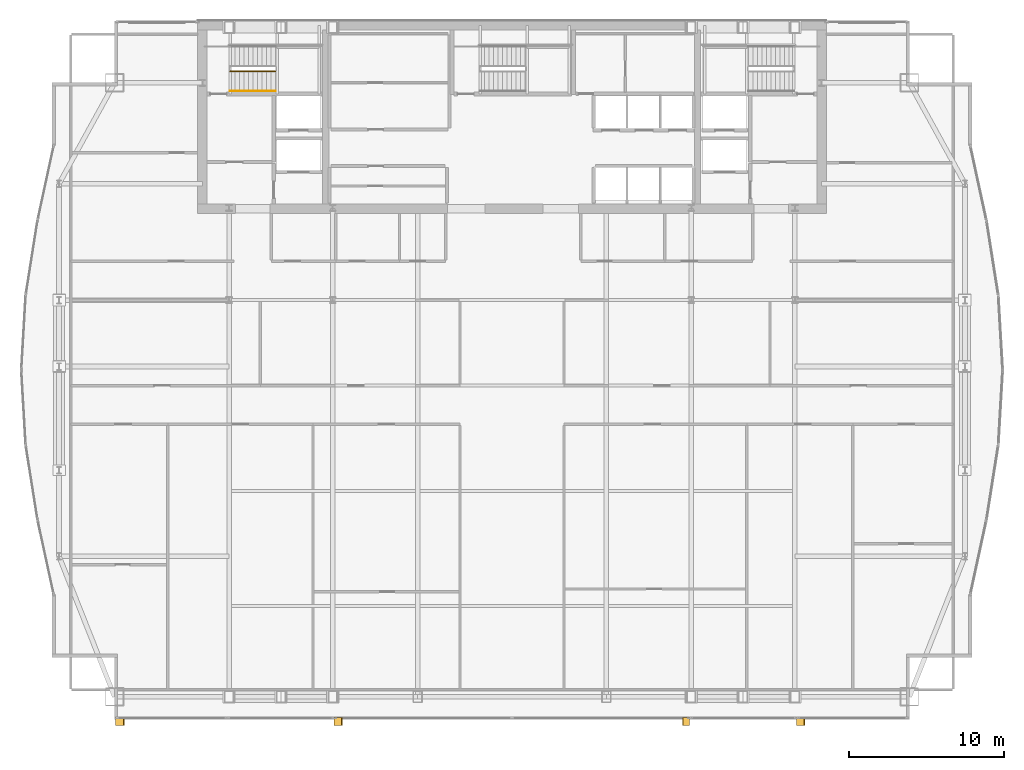
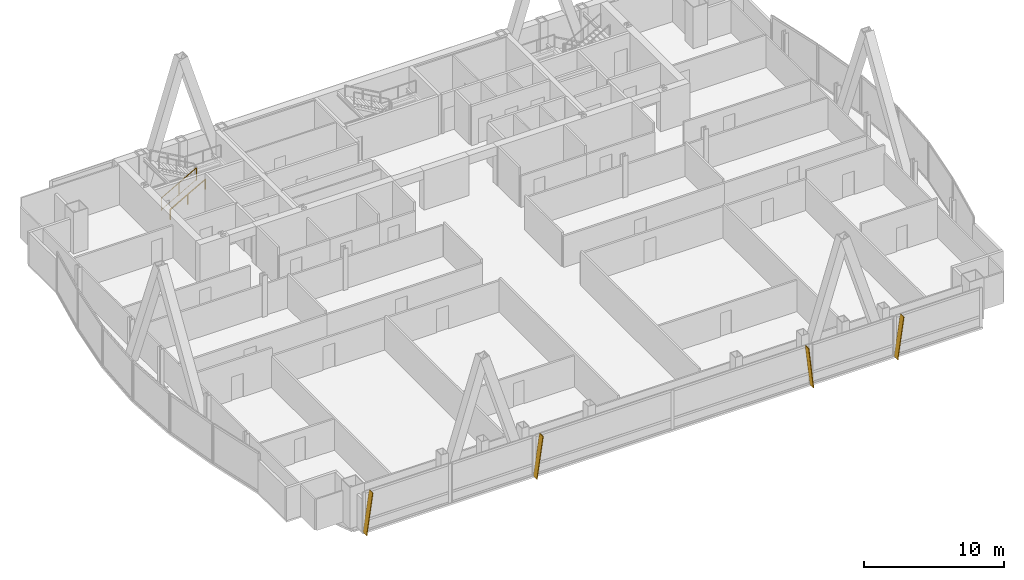
# One storey, part 32 of 33: 4 shading devices, 2 railings.
"""IFC4 building model written with IfcOpenShell, lengths in metres."""

import ifcopenshell
import ifcopenshell.guid

model = None  # the IFC model being written
_history = None  # IfcOwnerHistory: only IFC2X3 demands one
_inside = {}  # id of a spatial element -> (the spatial element, [elements in it])
_under = {}  # id of a project, library or spatial element -> (it, [spatial elements below it])
_declared = {}  # id of a project -> (the project, [libraries it declares])
_typed = {}  # id of a type object -> (the type object, [elements of that type])
_made_of = {}  # id of a material, layer set ... -> (it, [elements and type objects made of it])


def new_model(schema):
    """Start an empty IFC model of exactly this schema.

    Asked for "IFC4X3", IfcOpenShell would pick the latest addendum, in which some entities
    have other attributes; the version numbers below select the first issue.
    IFC2X3 requires an IfcOwnerHistory on every rooted entity: one is made here for all.
    """
    global model, _history
    if schema == "IFC4X3":
        model = ifcopenshell.file(schema_version=(4, 3, 0, 0))
    else:
        model = ifcopenshell.file(schema=schema)
    _inside.clear()
    _under.clear()
    _declared.clear()
    _typed.clear()
    _made_of.clear()
    _history = None
    if model.schema == "IFC2X3":
        org = make("IfcOrganization", Name="unknown")
        user = make(
            "IfcPersonAndOrganization",
            ThePerson=make("IfcPerson", FamilyName="unknown"),
            TheOrganization=org,
        )
        app = make(
            "IfcApplication",
            ApplicationDeveloper=org,
            Version="unknown",
            ApplicationFullName="unknown",
            ApplicationIdentifier="unknown",
        )
        _history = make(
            "IfcOwnerHistory",
            OwningUser=user,
            OwningApplication=app,
            ChangeAction="ADDED",
            CreationDate=0,
        )
    return model


def make(cls, **values):
    """One entity of the class cls with the attributes given. An attribute that is None is left unset."""
    return model.create_entity(
        cls, **{name: value for name, value in values.items() if value is not None}
    )


def rooted(cls, **values):
    """An entity with a GlobalId (a new one), such as an element, a storey or a relation."""
    return make(cls, GlobalId=ifcopenshell.guid.new(), OwnerHistory=_history, **values)


def si_unit(unit_type, name, prefix=None):
    """IfcSIUnit, for example si_unit("LENGTHUNIT", "METRE", prefix="MILLI")."""
    return make("IfcSIUnit", UnitType=unit_type, Prefix=prefix, Name=name)


def assignment(units):
    """IfcUnitAssignment: the units of a project."""
    return None if units is None else make("IfcUnitAssignment", Units=units)


def point(xyz):
    """IfcCartesianPoint."""
    return None if xyz is None else make("IfcCartesianPoint", Coordinates=xyz)


def direction(xyz):
    """IfcDirection."""
    return None if xyz is None else make("IfcDirection", DirectionRatios=xyz)


def frame(location, z_axis=None, x_axis=None):
    """IfcAxis2Placement3D, a coordinate frame: its origin and axes. An axis left out is left unset."""
    return make(
        "IfcAxis2Placement3D",
        Location=point(location),
        Axis=direction(z_axis),
        RefDirection=direction(x_axis),
    )


def frame_2d(location, x_axis=None):
    """IfcAxis2Placement2D, a coordinate frame in the plane: its origin and x axis."""
    return make(
        "IfcAxis2Placement2D", Location=point(location), RefDirection=direction(x_axis)
    )


def origin():
    """The frame at (0, 0, 0) with its axes left unset."""
    return frame((0.0, 0.0, 0.0))


def origin_2d():
    """The frame at (0, 0) in the plane with its x axis left unset."""
    return frame_2d((0.0, 0.0))


def place(relative_to, where):
    """IfcLocalPlacement: puts the frame where relative to a parent placement (None: the world)."""
    return make(
        "IfcLocalPlacement", PlacementRelTo=relative_to, RelativePlacement=where
    )


def context(
    kind, dimensions, precision=None, world=None, true_north=None, identifier=None
):
    """IfcGeometricRepresentationContext, for example the 3D "Model" context."""
    return make(
        "IfcGeometricRepresentationContext",
        ContextIdentifier=identifier,
        ContextType=kind,
        CoordinateSpaceDimension=dimensions,
        Precision=precision,
        WorldCoordinateSystem=world,
        TrueNorth=true_north,
    )


def subcontext(parent, identifier, kind, view, scale=None):
    """IfcGeometricRepresentationSubContext, for example "Body" below "Model"."""
    return make(
        "IfcGeometricRepresentationSubContext",
        ContextIdentifier=identifier,
        ContextType=kind,
        ParentContext=parent,
        TargetScale=scale,
        TargetView=view,
    )


def project(units=None, contexts=None):
    """IfcProject with its units and contexts."""
    return rooted(
        "IfcProject",
        Name="project",
        RepresentationContexts=contexts,
        UnitsInContext=assignment(units),
    )


def spatial(cls, under=None, at=None, **own):
    """A site, building, storey or space (cls), placed at a placement, below another one or the project."""
    s = rooted(cls, ObjectPlacement=at, **own)
    if under is not None:
        _under.setdefault(under.id(), (under, []))[1].append(s)
    return s


def polyline(points):
    """IfcPolyline through the points."""
    return make("IfcPolyline", Points=[point(p) for p in points])


def profile(cls, at=None, kind="AREA", **sizes):
    """A parametric profile (cls). Its sizes go by their IFC names, for example OverallWidth=200.0."""
    return make(cls, ProfileType=kind, Position=at, **sizes)


def rectangle(**sizes):
    """IfcRectangleProfileDef."""
    return profile("IfcRectangleProfileDef", **sizes)


def outline(outer, holes=None, kind="AREA"):
    """IfcArbitraryClosedProfileDef: a profile drawn as a closed curve; with holes, ...WithVoids."""
    if holes is None:
        return make("IfcArbitraryClosedProfileDef", ProfileType=kind, OuterCurve=outer)
    return make(
        "IfcArbitraryProfileDefWithVoids",
        ProfileType=kind,
        OuterCurve=outer,
        InnerCurves=holes,
    )


def extrude(swept, where, along, depth):
    """IfcExtrudedAreaSolid: the profile swept, set in the frame where, extruded along a direction by depth."""
    return make(
        "IfcExtrudedAreaSolid",
        SweptArea=swept,
        Position=where,
        ExtrudedDirection=direction(along),
        Depth=depth,
    )


def shape(context_of_items, identifier, shape_type, items):
    """IfcShapeRepresentation: the items that make up one representation, for example the "Body"."""
    return make(
        "IfcShapeRepresentation",
        ContextOfItems=context_of_items,
        RepresentationIdentifier=identifier,
        RepresentationType=shape_type,
        Items=items,
    )


def material(Name=None, Category=None):
    """IfcMaterial."""
    return make("IfcMaterial", Name=Name, Category=Category)


def layer(
    of_material, thickness, ventilated=None, Name=None, Category=None, Priority=None
):
    """IfcMaterialLayer: one layer of a wall or slab, of a material (None: an air gap)."""
    return make(
        "IfcMaterialLayer",
        Material=of_material,
        LayerThickness=thickness,
        IsVentilated=ventilated,
        Name=Name,
        Category=Category,
        Priority=Priority,
    )


def layer_set(layers, Name=None):
    """IfcMaterialLayerSet."""
    return make("IfcMaterialLayerSet", MaterialLayers=layers, LayerSetName=Name)


def made_of(thing, what):
    """Note that an element or type object is made of a material, layer set ...; save() writes the relation."""
    if what is not None:
        _made_of.setdefault(what.id(), (what, []))[1].append(thing)
    return thing


def type_object(cls, material=None, **own):
    """A type object (cls), such as IfcWallType, which elements share."""
    return made_of(rooted(cls, **own), material)


def element(
    cls,
    number,
    at=None,
    inside=None,
    cuts=None,
    type_object=None,
    material=None,
    context=None,
    identifier="Body",
    shape_type=None,
    held_by="IfcProductDefinitionShape",
    body=None,
    shapes=None,
    **own,
):
    """One element of the class cls, such as IfcWall. Its Tag is "e" and its number.

    at: its placement. inside: the storey or other place that contains it. cuts: it is an
    opening in that element (IfcRelVoidsElement). A single representation is given by context,
    identifier, shape_type and body (its items); several are given by shapes. held_by: the class
    of the entity that holds the representations. save() writes the other relations.
    """
    e = rooted(cls, Tag="e%d" % number, ObjectPlacement=at, **own)
    if body is not None:
        shapes = [shape(context, identifier, shape_type, body)]
    if shapes is not None:
        e.Representation = make(held_by, Representations=shapes)
    if inside is not None:
        _inside.setdefault(inside.id(), (inside, []))[1].append(e)
    if cuts is not None:
        rooted(
            "IfcRelVoidsElement", RelatingBuildingElement=cuts, RelatedOpeningElement=e
        )
    if type_object is not None:
        _typed.setdefault(type_object.id(), (type_object, []))[1].append(e)
    return made_of(e, material)


def aggregate(whole, parts):
    """IfcRelAggregates: a whole, such as a stair, and the parts it consists of."""
    return rooted("IfcRelAggregates", RelatingObject=whole, RelatedObjects=parts)


def save(model, path):
    """Write the relations noted so far, then the file.

    IfcRelAggregates (storeys below a building ...), IfcRelContainedInSpatialStructure (elements
    in a storey), IfcRelDefinesByType, IfcRelAssociatesMaterial and IfcRelDeclares: one each for
    every whole, place, type object, material and project.
    """
    for whole, parts in _under.values():
        aggregate(whole, parts)
    for where, things in _inside.values():
        rooted(
            "IfcRelContainedInSpatialStructure",
            RelatedElements=things,
            RelatingStructure=where,
        )
    for kind, things in _typed.values():
        rooted("IfcRelDefinesByType", RelatedObjects=things, RelatingType=kind)
    for what, things in _made_of.values():
        rooted("IfcRelAssociatesMaterial", RelatedObjects=things, RelatingMaterial=what)
    for by, libraries in _declared.values():
        rooted("IfcRelDeclares", RelatingContext=by, RelatedDefinitions=libraries)
    model.write(path)


model = new_model("IFC4")

# Units and contexts
model_context = context("Model", 3, precision=1e-05, world=origin(), true_north=direction((0.0, 1.0)))
body_context = subcontext(model_context, "Body", "Model", "MODEL_VIEW")
ifc_project = project(units=[si_unit("LENGTHUNIT", "METRE"), si_unit("AREAUNIT", "SQUARE_METRE"), si_unit("VOLUMEUNIT", "CUBIC_METRE"), si_unit("PLANEANGLEUNIT", "RADIAN"), si_unit("MASSUNIT", "GRAM", prefix="KILO")], contexts=[model_context])

# Site, building, storey
site_placement = place(None, origin())
site = spatial("IfcSite", under=ifc_project, at=site_placement, CompositionType="ELEMENT")
building_placement = place(site_placement, origin())
building = spatial("IfcBuilding", under=site, at=building_placement, Name="Khoronbel Lancet Exchange", CompositionType="ELEMENT")
storey_placement = place(building_placement, frame((0.0, 0.0, 210.199951171875)))
storey = spatial("IfcBuildingStorey", under=building, at=storey_placement, Name="L53", CompositionType="ELEMENT", Elevation=210.199951171875)

# Railings
ifc_material_1 = material(Name="Painted Steel Balustrade", Category="steel")
railing_type_1 = type_object("IfcRailingType", Name="RL-STG110", PredefinedType="GUARDRAIL", material=ifc_material_1)
railing_1_placement = place(storey_placement, frame((18.300048828125, 50.449951171875, 0.16357421875)))
element("IfcRailing", 1, at=railing_1_placement, inside=storey, type_object=railing_type_1, Name="L53 ST1 stair guard 1", PredefinedType="GUARDRAIL", context=body_context, shape_type="SweptSolid", body=[
    extrude(rectangle(XDim=0.048095703125, YDim=0.048095703125, at=origin_2d()), frame((0.0, 0.0, 1.09619140625), z_axis=(0.870897200241, 0.0, 0.491465224214), x_axis=(0.0, 1.0, 0.0)), (0.0, 0.0, 1.0), 3.329833984375),
    extrude(rectangle(XDim=0.02392578125, YDim=0.02392578125, at=origin_2d()), frame((0.0, 0.0, 0.080078125), z_axis=(0.870897200241, 0.0, 0.491465224214), x_axis=(0.0, 1.0, 0.0)), (0.0, 0.0, 1.0), 3.329833984375),
    extrude(rectangle(XDim=0.0419921875, YDim=0.0419921875, at=origin_2d()), origin(), (0.0, 0.0, 1.0), 1.072021484375),
    extrude(rectangle(XDim=0.0419921875, YDim=0.0419921875, at=origin_2d()), frame((1.449951171875, 0.0, 0.818359375)), (0.0, 0.0, 1.0), 1.072021484375),
    extrude(rectangle(XDim=0.0419921875, YDim=0.0419921875, at=origin_2d()), frame((2.89990234375, 0.0, 1.636474609375)), (0.0, 0.0, 1.0), 1.072021484375),
])
ifc_material_2 = material(Name="Brushed Stainless Steel 316", Category="steel")
railing_type_2 = type_object("IfcRailingType", Name="RL-STH92", PredefinedType="HANDRAIL", material=ifc_material_2)
railing_2_placement = place(storey_placement, frame((18.300048828125, 49.169921875, 0.16357421875)))
element("IfcRailing", 2, at=railing_2_placement, inside=storey, type_object=railing_type_2, Name="L53 ST1 stair handrail 1", PredefinedType="HANDRAIL", context=body_context, shape_type="SweptSolid", body=[
    extrude(rectangle(XDim=0.048095703125, YDim=0.048095703125, at=origin_2d()), frame((0.0, 0.0, 0.8759765625), z_axis=(0.870897200241, 0.0, 0.491465224214), x_axis=(0.0, 1.0, 0.0)), (0.0, 0.0, 1.0), 3.329833984375),
    extrude(rectangle(XDim=0.0419921875, YDim=0.0419921875, at=origin_2d()), origin(), (0.0, 0.0, 1.0), 0.851806640625),
    extrude(rectangle(XDim=0.0419921875, YDim=0.0419921875, at=origin_2d()), frame((1.449951171875, 0.0, 0.818359375)), (0.0, 0.0, 1.0), 0.851806640625),
    extrude(rectangle(XDim=0.0419921875, YDim=0.0419921875, at=origin_2d()), frame((2.89990234375, 0.0, 1.636474609375)), (0.0, 0.0, 1.0), 0.851806640625),
])

# Shading devices
ifc_material_3 = material(Name="Bronze-Anodised Aluminium 6063-T6", Category="aluminium")
ifc_layer = layer(ifc_material_3, 0.054931640625, Name="Bronze-Anodised Aluminium 6063-T6")
ifc_layer_set = layer_set([ifc_layer], Name="Bronze-Anodised Aluminium 6063-T6")
shading_device_type = type_object("IfcShadingDeviceType", Name="SHD-FIN1", PredefinedType="USERDEFINED", material=ifc_layer_set)
for number, where, z_axis, x_axis, name in (
    (3, (10.91259765625, 8.81005859375, -0.079833984375), (-0.990091586433, 0.0, 0.14042311232), (0.0, -1.0, 0.0), "Slanted bronze solar fin CW-L53-SWV-0"),
    (4, (24.972412109375, 8.81005859375, -0.079833984375), (-0.990082143633, 0.0, 0.140489675274), (0.0, -1.0, 0.0), "Slanted bronze solar fin CW-L53-SCV-0"),
):
    element("IfcShadingDevice", number, at=place(storey_placement, frame(where, z_axis=z_axis, x_axis=x_axis)), inside=storey, type_object=shading_device_type, Name=name, ObjectType="FIN", PredefinedType="USERDEFINED", context=body_context, shape_type="SweptSolid", body=[
        extrude(outline(polyline([(0.0, 0.0), (0.52001953125, 0.0), (0.52001953125, 3.595458984375), (0.0, 3.595458984375), (0.0, 0.0)])), origin(), (0.0, 0.0, -1.0), 0.054931640625),
    ])
shading_device_1_placement = place(storey_placement, frame((47.87255859375, 8.81005859375, -0.079833984375), z_axis=(0.99389951861, 0.0, 0.110289378034), x_axis=(0.0, -1.0, 0.0)))
element("IfcShadingDevice", 5, at=shading_device_1_placement, inside=storey, type_object=shading_device_type, Name="Slanted bronze solar fin CW-L53-SCV-2", ObjectType="FIN", PredefinedType="USERDEFINED", context=body_context, shape_type="SweptSolid", body=[
    extrude(outline(polyline([(0.0, 0.0), (0.52001953125, 0.0), (0.52001953125, -3.58154296875), (0.0, -3.58154296875), (0.0, 0.0)])), origin(), (0.0, 0.0, -1.0), 0.054931640625),
])
shading_device_2_placement = place(storey_placement, frame((54.7724609375, 8.81005859375, -0.079833984375), z_axis=(-0.990082143633, 0.0, 0.140489675274), x_axis=(0.0, -1.0, 0.0)))
element("IfcShadingDevice", 6, at=shading_device_2_placement, inside=storey, type_object=shading_device_type, Name="Slanted bronze solar fin CW-L53-SEV-0", ObjectType="FIN", PredefinedType="USERDEFINED", context=body_context, shape_type="SweptSolid", body=[
    extrude(outline(polyline([(0.0, 0.0), (0.52001953125, 0.0), (0.52001953125, 3.595458984375), (0.0, 3.595458984375), (0.0, 0.0)])), origin(), (0.0, 0.0, -1.0), 0.054931640625),
])

save(model, "model.ifc")
